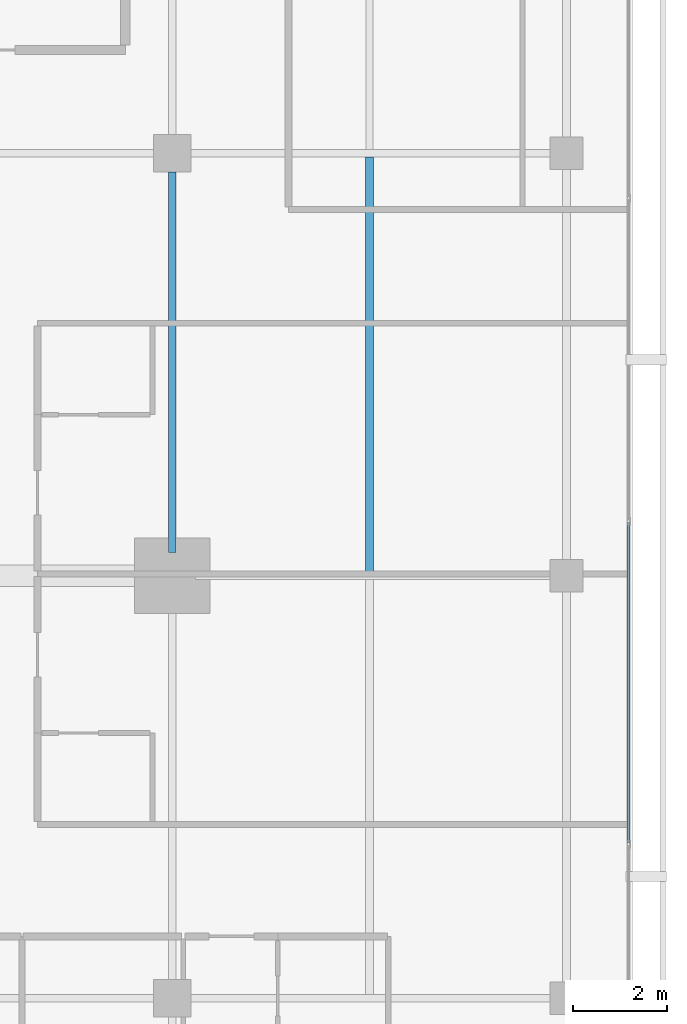
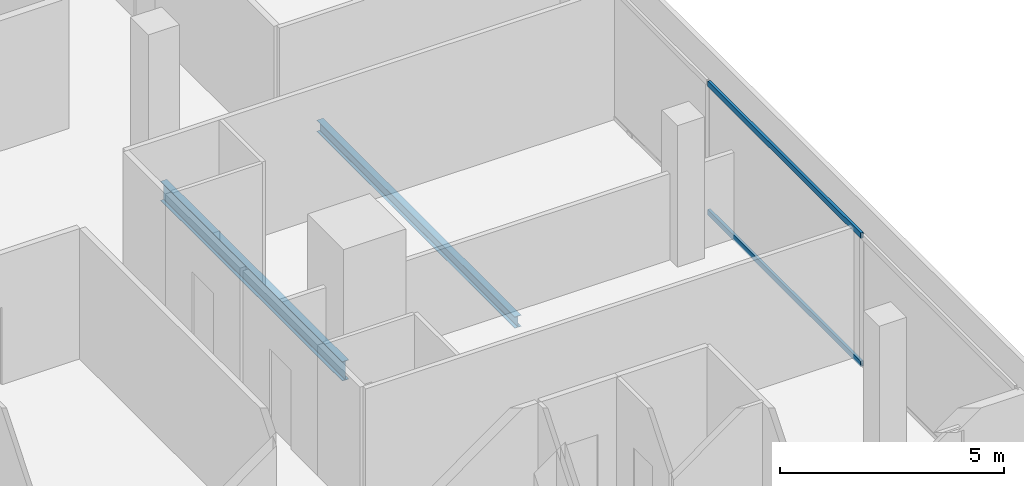
# One storey, part 13 of 26: 2 beams, 2 members, 1 element without a shape of its own.
"""IFC4 building model written with IfcOpenShell, lengths in metres."""

from ifc_helpers import new_model, si_unit, direction, frame, origin, origin_2d, place, context, subcontext, project, spatial, hollow_rectangle, i_section, extrude, material, layer, layer_set, material_profile, profile_set, type_object, element, aggregate, save


model = new_model("IFC4")

# Units and contexts
model_context = context("Model", 3, precision=1e-05, world=origin(), true_north=direction((0.0, 1.0)))
body_context = subcontext(model_context, "Body", "Model", "MODEL_VIEW")
ifc_project = project(units=[si_unit("LENGTHUNIT", "METRE"), si_unit("AREAUNIT", "SQUARE_METRE"), si_unit("VOLUMEUNIT", "CUBIC_METRE"), si_unit("PLANEANGLEUNIT", "RADIAN"), si_unit("MASSUNIT", "GRAM", prefix="KILO")], contexts=[model_context])

# Site, building, storey
site_placement = place(None, origin())
site = spatial("IfcSite", under=ifc_project, at=site_placement, CompositionType="ELEMENT")
building_placement = place(site_placement, origin())
building = spatial("IfcBuilding", under=site, at=building_placement, Name="Maruvema Waterfront Hotel and Observation Tower", CompositionType="ELEMENT")
storey_placement = place(building_placement, frame((0.0, 0.0, 312.550048828125)))
storey = spatial("IfcBuildingStorey", under=building, at=storey_placement, Name="L77", CompositionType="ELEMENT", Elevation=312.550048828125)

# Curtain wall, members
ifc_material_1 = material(Name="Anodised bronze aluminium and solar-control low-E IGU", Category="aluminium")
ifc_layer = layer(ifc_material_1, 0.159912109375, Name="Zone 3 Champagne Inner Thermal Curtain Wall System CW-04")
ifc_layer_set = layer_set([ifc_layer], Name="Anodised bronze aluminium and solar-control low-E IGU")
curtain_wall_type = type_object("IfcCurtainWallType", Name="Zone 3 Champagne Inner Thermal Curtain Wall System CW-04", PredefinedType="USERDEFINED", material=ifc_layer_set)
curtain_wall_placement = place(storey_placement, origin())
curtain_wall = element("IfcCurtainWall", 1, at=curtain_wall_placement, inside=storey, type_object=curtain_wall_type, Name="L77 Curtain Wall CW-L77-E", ObjectType="UNITISED CURTAIN WALL", PredefinedType="USERDEFINED")
ifc_material_2 = material(Name="Anodised architectural bronze aluminium", Category="aluminium")
ifc_material_profile_1 = material_profile(ifc_material_2, hollow_rectangle(XDim=0.070068359375, YDim=0.14990234375, WallThickness=0.00390625, at=origin_2d()), Name="ALU-T70x150")
ifc_profile_set_1 = profile_set([ifc_material_profile_1], Name="Anodised architectural bronze aluminium")
member_type = type_object("IfcMemberType", Name="Curtain Wall Horizontal Transom ALU-T70x150", PredefinedType="USERDEFINED", material=ifc_profile_set_1)
member_1_placement = place(storey_placement, frame((60.1201171875, 21.31005859375, 0.030029296875), z_axis=(0.0, 1.0, 0.0), x_axis=(-1.0, 0.0, 0.0)))
member_1 = element("IfcMember", 2, at=member_1_placement, type_object=member_type, Name="CW-04 transom 2.1", ObjectType="TRANSOM", PredefinedType="USERDEFINED", context=body_context, shape_type="SweptSolid", body=[
    extrude(hollow_rectangle(XDim=0.070068359375, YDim=0.14990234375, WallThickness=0.00390625, at=origin_2d()), origin(), (0.0, 0.0, 1.0), 6.81982421875),
])
member_2_placement = place(storey_placement, frame((60.1201171875, 21.31005859375, 3.52001953125), z_axis=(0.0, 1.0, 0.0), x_axis=(-1.0, 0.0, 0.0)))
member_2 = element("IfcMember", 3, at=member_2_placement, type_object=member_type, Name="CW-04 transom 2.2", ObjectType="TRANSOM", PredefinedType="USERDEFINED", context=body_context, shape_type="SweptSolid", body=[
    extrude(hollow_rectangle(XDim=0.070068359375, YDim=0.14990234375, WallThickness=0.00390625, at=origin_2d()), origin(), (0.0, 0.0, 1.0), 6.81982421875),
])
aggregate(curtain_wall, [member_1, member_2])

# Beams
ifc_material_3 = material(Name="Steel ASTM A572 Grade 50", Category="steel")
ifc_material_profile_2 = material_profile(ifc_material_3, i_section(OverallWidth=0.166015625, OverallDepth=0.529052734375, WebThickness=0.009765625, FlangeThickness=0.013671875, FilletRadius=0.014892578125, at=origin_2d()), Name="W530x74.0")
ifc_profile_set_2 = profile_set([ifc_material_profile_2], Name="Steel ASTM A572 Grade 50")
beam_type_1 = type_object("IfcBeamType", Name="Primary Floor Girder W530x74.0", PredefinedType="BEAM", material=ifc_profile_set_2)
beam_1_placement = place(storey_placement, frame((50.39990234375, 27.5, -0.504638671875), z_axis=(0.0, 1.0, 0.0), x_axis=(-1.0, 0.0, 0.0)))
element("IfcBeam", 4, at=beam_1_placement, inside=storey, type_object=beam_type_1, Name="L77 Floor Girder NS-14", PredefinedType="BEAM", context=body_context, shape_type="SweptSolid", body=[
    extrude(i_section(OverallWidth=0.166015625, OverallDepth=0.529052734375, WebThickness=0.009765625, FlangeThickness=0.013671875, FilletRadius=0.014892578125, at=origin_2d()), origin(), (0.0, 0.0, 1.0), 8.10009765625),
])
ifc_material_4 = material(Name="Steel ASTM A572 Grade 50", Category="steel")
ifc_material_profile_3 = material_profile(ifc_material_4, i_section(OverallWidth=0.1650390625, OverallDepth=0.31005859375, WebThickness=0.005859375, FlangeThickness=0.009765625, FilletRadius=0.012939453125, at=origin_2d()), Name="W310x38.7")
ifc_profile_set_3 = profile_set([ifc_material_profile_3], Name="Steel ASTM A572 Grade 50")
beam_type_2 = type_object("IfcBeamType", Name="Secondary Floor Joist W310x38.7", PredefinedType="JOIST", material=ifc_profile_set_3)
beam_2_placement = place(storey_placement, frame((54.60009765625, 27.0830078125, -0.39501953125), z_axis=(0.0, 1.0, 0.0), x_axis=(-1.0, 0.0, 0.0)))
element("IfcBeam", 5, at=beam_2_placement, inside=storey, type_object=beam_type_2, Name="L77 Secondary Floor Joist JS-08", PredefinedType="JOIST", context=body_context, shape_type="SweptSolid", body=[
    extrude(i_section(OverallWidth=0.1650390625, OverallDepth=0.31005859375, WebThickness=0.005859375, FlangeThickness=0.009765625, FilletRadius=0.012939453125, at=origin_2d()), origin(), (0.0, 0.0, 1.0), 8.833984375),
])

save(model, "model.ifc")
